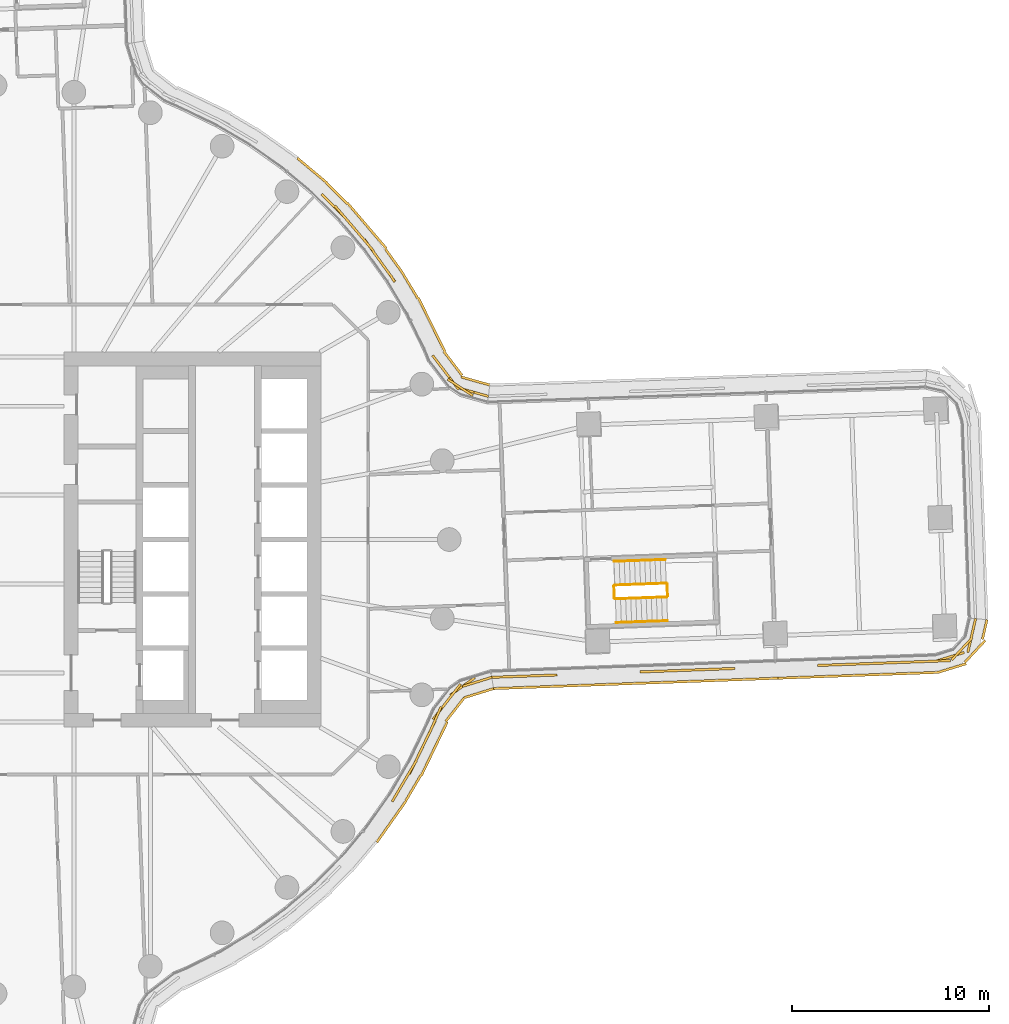
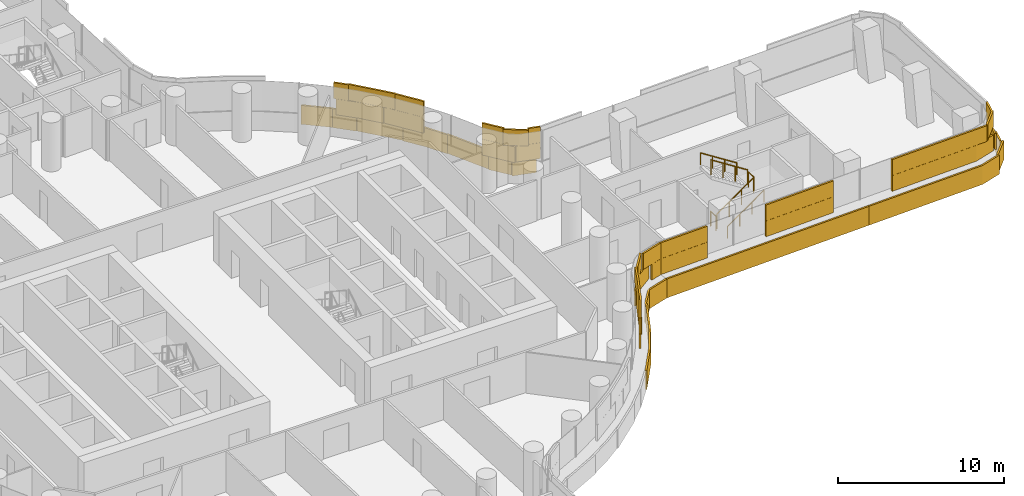
# One storey, part 29 of 31: 6 railings, 4 coverings.
"""IFC4 building model written with IfcOpenShell, lengths in metres."""

import ifcopenshell
import ifcopenshell.guid

model = None  # the IFC model being written
_history = None  # IfcOwnerHistory: only IFC2X3 demands one
_inside = {}  # id of a spatial element -> (the spatial element, [elements in it])
_under = {}  # id of a project, library or spatial element -> (it, [spatial elements below it])
_declared = {}  # id of a project -> (the project, [libraries it declares])
_typed = {}  # id of a type object -> (the type object, [elements of that type])
_made_of = {}  # id of a material, layer set ... -> (it, [elements and type objects made of it])


def new_model(schema):
    """Start an empty IFC model of exactly this schema.

    Asked for "IFC4X3", IfcOpenShell would pick the latest addendum, in which some entities
    have other attributes; the version numbers below select the first issue.
    IFC2X3 requires an IfcOwnerHistory on every rooted entity: one is made here for all.
    """
    global model, _history
    if schema == "IFC4X3":
        model = ifcopenshell.file(schema_version=(4, 3, 0, 0))
    else:
        model = ifcopenshell.file(schema=schema)
    _inside.clear()
    _under.clear()
    _declared.clear()
    _typed.clear()
    _made_of.clear()
    _history = None
    if model.schema == "IFC2X3":
        org = make("IfcOrganization", Name="unknown")
        user = make(
            "IfcPersonAndOrganization",
            ThePerson=make("IfcPerson", FamilyName="unknown"),
            TheOrganization=org,
        )
        app = make(
            "IfcApplication",
            ApplicationDeveloper=org,
            Version="unknown",
            ApplicationFullName="unknown",
            ApplicationIdentifier="unknown",
        )
        _history = make(
            "IfcOwnerHistory",
            OwningUser=user,
            OwningApplication=app,
            ChangeAction="ADDED",
            CreationDate=0,
        )
    return model


def make(cls, **values):
    """One entity of the class cls with the attributes given. An attribute that is None is left unset."""
    return model.create_entity(
        cls, **{name: value for name, value in values.items() if value is not None}
    )


def rooted(cls, **values):
    """An entity with a GlobalId (a new one), such as an element, a storey or a relation."""
    return make(cls, GlobalId=ifcopenshell.guid.new(), OwnerHistory=_history, **values)


def si_unit(unit_type, name, prefix=None):
    """IfcSIUnit, for example si_unit("LENGTHUNIT", "METRE", prefix="MILLI")."""
    return make("IfcSIUnit", UnitType=unit_type, Prefix=prefix, Name=name)


def assignment(units):
    """IfcUnitAssignment: the units of a project."""
    return None if units is None else make("IfcUnitAssignment", Units=units)


def point(xyz):
    """IfcCartesianPoint."""
    return None if xyz is None else make("IfcCartesianPoint", Coordinates=xyz)


def direction(xyz):
    """IfcDirection."""
    return None if xyz is None else make("IfcDirection", DirectionRatios=xyz)


def frame(location, z_axis=None, x_axis=None):
    """IfcAxis2Placement3D, a coordinate frame: its origin and axes. An axis left out is left unset."""
    return make(
        "IfcAxis2Placement3D",
        Location=point(location),
        Axis=direction(z_axis),
        RefDirection=direction(x_axis),
    )


def frame_2d(location, x_axis=None):
    """IfcAxis2Placement2D, a coordinate frame in the plane: its origin and x axis."""
    return make(
        "IfcAxis2Placement2D", Location=point(location), RefDirection=direction(x_axis)
    )


def origin():
    """The frame at (0, 0, 0) with its axes left unset."""
    return frame((0.0, 0.0, 0.0))


def origin_2d():
    """The frame at (0, 0) in the plane with its x axis left unset."""
    return frame_2d((0.0, 0.0))


def place(relative_to, where):
    """IfcLocalPlacement: puts the frame where relative to a parent placement (None: the world)."""
    return make(
        "IfcLocalPlacement", PlacementRelTo=relative_to, RelativePlacement=where
    )


def context(
    kind, dimensions, precision=None, world=None, true_north=None, identifier=None
):
    """IfcGeometricRepresentationContext, for example the 3D "Model" context."""
    return make(
        "IfcGeometricRepresentationContext",
        ContextIdentifier=identifier,
        ContextType=kind,
        CoordinateSpaceDimension=dimensions,
        Precision=precision,
        WorldCoordinateSystem=world,
        TrueNorth=true_north,
    )


def subcontext(parent, identifier, kind, view, scale=None):
    """IfcGeometricRepresentationSubContext, for example "Body" below "Model"."""
    return make(
        "IfcGeometricRepresentationSubContext",
        ContextIdentifier=identifier,
        ContextType=kind,
        ParentContext=parent,
        TargetScale=scale,
        TargetView=view,
    )


def project(units=None, contexts=None):
    """IfcProject with its units and contexts."""
    return rooted(
        "IfcProject",
        Name="project",
        RepresentationContexts=contexts,
        UnitsInContext=assignment(units),
    )


def spatial(cls, under=None, at=None, **own):
    """A site, building, storey or space (cls), placed at a placement, below another one or the project."""
    s = rooted(cls, ObjectPlacement=at, **own)
    if under is not None:
        _under.setdefault(under.id(), (under, []))[1].append(s)
    return s


def profile(cls, at=None, kind="AREA", **sizes):
    """A parametric profile (cls). Its sizes go by their IFC names, for example OverallWidth=200.0."""
    return make(cls, ProfileType=kind, Position=at, **sizes)


def rectangle(**sizes):
    """IfcRectangleProfileDef."""
    return profile("IfcRectangleProfileDef", **sizes)


def circle(**sizes):
    """IfcCircleProfileDef."""
    return profile("IfcCircleProfileDef", **sizes)


def extrude(swept, where, along, depth):
    """IfcExtrudedAreaSolid: the profile swept, set in the frame where, extruded along a direction by depth."""
    return make(
        "IfcExtrudedAreaSolid",
        SweptArea=swept,
        Position=where,
        ExtrudedDirection=direction(along),
        Depth=depth,
    )


def shape(context_of_items, identifier, shape_type, items):
    """IfcShapeRepresentation: the items that make up one representation, for example the "Body"."""
    return make(
        "IfcShapeRepresentation",
        ContextOfItems=context_of_items,
        RepresentationIdentifier=identifier,
        RepresentationType=shape_type,
        Items=items,
    )


def material(Name=None, Category=None):
    """IfcMaterial."""
    return make("IfcMaterial", Name=Name, Category=Category)


def layer(
    of_material, thickness, ventilated=None, Name=None, Category=None, Priority=None
):
    """IfcMaterialLayer: one layer of a wall or slab, of a material (None: an air gap)."""
    return make(
        "IfcMaterialLayer",
        Material=of_material,
        LayerThickness=thickness,
        IsVentilated=ventilated,
        Name=Name,
        Category=Category,
        Priority=Priority,
    )


def layer_set(layers, Name=None):
    """IfcMaterialLayerSet."""
    return make("IfcMaterialLayerSet", MaterialLayers=layers, LayerSetName=Name)


def made_of(thing, what):
    """Note that an element or type object is made of a material, layer set ...; save() writes the relation."""
    if what is not None:
        _made_of.setdefault(what.id(), (what, []))[1].append(thing)
    return thing


def type_object(cls, material=None, **own):
    """A type object (cls), such as IfcWallType, which elements share."""
    return made_of(rooted(cls, **own), material)


def element(
    cls,
    number,
    at=None,
    inside=None,
    cuts=None,
    type_object=None,
    material=None,
    context=None,
    identifier="Body",
    shape_type=None,
    held_by="IfcProductDefinitionShape",
    body=None,
    shapes=None,
    **own,
):
    """One element of the class cls, such as IfcWall. Its Tag is "e" and its number.

    at: its placement. inside: the storey or other place that contains it. cuts: it is an
    opening in that element (IfcRelVoidsElement). A single representation is given by context,
    identifier, shape_type and body (its items); several are given by shapes. held_by: the class
    of the entity that holds the representations. save() writes the other relations.
    """
    e = rooted(cls, Tag="e%d" % number, ObjectPlacement=at, **own)
    if body is not None:
        shapes = [shape(context, identifier, shape_type, body)]
    if shapes is not None:
        e.Representation = make(held_by, Representations=shapes)
    if inside is not None:
        _inside.setdefault(inside.id(), (inside, []))[1].append(e)
    if cuts is not None:
        rooted(
            "IfcRelVoidsElement", RelatingBuildingElement=cuts, RelatedOpeningElement=e
        )
    if type_object is not None:
        _typed.setdefault(type_object.id(), (type_object, []))[1].append(e)
    return made_of(e, material)


def aggregate(whole, parts):
    """IfcRelAggregates: a whole, such as a stair, and the parts it consists of."""
    return rooted("IfcRelAggregates", RelatingObject=whole, RelatedObjects=parts)


def save(model, path):
    """Write the relations noted so far, then the file.

    IfcRelAggregates (storeys below a building ...), IfcRelContainedInSpatialStructure (elements
    in a storey), IfcRelDefinesByType, IfcRelAssociatesMaterial and IfcRelDeclares: one each for
    every whole, place, type object, material and project.
    """
    for whole, parts in _under.values():
        aggregate(whole, parts)
    for where, things in _inside.values():
        rooted(
            "IfcRelContainedInSpatialStructure",
            RelatedElements=things,
            RelatingStructure=where,
        )
    for kind, things in _typed.values():
        rooted("IfcRelDefinesByType", RelatedObjects=things, RelatingType=kind)
    for what, things in _made_of.values():
        rooted("IfcRelAssociatesMaterial", RelatedObjects=things, RelatingMaterial=what)
    for by, libraries in _declared.values():
        rooted("IfcRelDeclares", RelatingContext=by, RelatedDefinitions=libraries)
    model.write(path)


model = new_model("IFC4")

# Units and contexts
model_context = context("Model", 3, precision=1e-05, world=origin(), true_north=direction((0.0, 1.0)))
body_context = subcontext(model_context, "Body", "Model", "MODEL_VIEW")
ifc_project = project(units=[si_unit("LENGTHUNIT", "METRE"), si_unit("AREAUNIT", "SQUARE_METRE"), si_unit("VOLUMEUNIT", "CUBIC_METRE"), si_unit("PLANEANGLEUNIT", "RADIAN"), si_unit("MASSUNIT", "GRAM", prefix="KILO")], contexts=[model_context])

# Site, building, storey
site_placement = place(None, origin())
site = spatial("IfcSite", under=ifc_project, at=site_placement, CompositionType="ELEMENT")
building_placement = place(site_placement, origin())
building = spatial("IfcBuilding", under=site, at=building_placement, Name="Tamarind Cross Interchange Tower", CompositionType="ELEMENT")
storey_placement = place(building_placement, frame((0.0, 0.0, 41.5)))
storey = spatial("IfcBuildingStorey", under=building, at=storey_placement, Name="L08", CompositionType="ELEMENT", Elevation=41.5)

# Railings
ifc_material_1 = material(Name="Stair guard")
railing_type_1 = type_object("IfcRailingType", Name="Stair guard", PredefinedType="GUARDRAIL", material=ifc_material_1)
railing_1_placement = place(storey_placement, frame((31.416015625, -3.0087890625, 0.17041015625)))
element("IfcRailing", 1, at=railing_1_placement, inside=storey, type_object=railing_type_1, Name="L08 ST3 stair guard 1", PredefinedType="GUARDRAIL", context=body_context, shape_type="SweptSolid", body=[
    extrude(circle(Radius=0.02392578125, at=origin_2d()), frame((0.0, 0.0, 1.076171875), z_axis=(0.835723001818, 0.030548416436, 0.54830088317), x_axis=(-0.036528883713, 0.999332597614, 0.0)), (0.0, 0.0, 1.0), 3.10888671875),
    extrude(circle(Radius=0.02099609375, at=origin_2d()), origin(), (0.0, 0.0, 1.0), 1.052001953125),
    extrude(circle(Radius=0.02099609375, at=origin_2d()), frame((0.865966796875, 0.03173828125, 0.568115234375)), (0.0, 0.0, 1.0), 1.052001953125),
    extrude(circle(Radius=0.02099609375, at=origin_2d()), frame((1.732177734375, 0.063232421875, 1.136474609375)), (0.0, 0.0, 1.0), 1.052001953125),
    extrude(circle(Radius=0.02099609375, at=origin_2d()), frame((2.59814453125, 0.094970703125, 1.70458984375)), (0.0, 0.0, 1.0), 1.052001953125),
])
railing_2_placement = place(storey_placement, frame((34.0625, -2.862060546875, 1.875)))
element("IfcRailing", 2, at=railing_2_placement, inside=storey, type_object=railing_type_1, Name="L08 ST3 stair guard 2", PredefinedType="GUARDRAIL", context=body_context, shape_type="SweptSolid", body=[
    extrude(circle(Radius=0.02392578125, at=origin_2d()), frame((0.0, 0.0, 1.076171875), z_axis=(-0.036620371511, 0.999329249242, 0.0), x_axis=(-0.999329249242, -0.036620371511, 0.0)), (0.0, 0.0, 1.0), 0.60009765625),
    extrude(circle(Radius=0.02099609375, at=origin_2d()), origin(), (0.0, 0.0, 1.0), 1.052001953125),
    extrude(circle(Radius=0.02099609375, at=origin_2d()), frame((-0.02197265625, 0.599609375, 0.0)), (0.0, 0.0, 1.0), 1.052001953125),
])
railing_3_placement = place(storey_placement, frame((33.98876953125, -2.21435546875, 2.04541015625)))
element("IfcRailing", 3, at=railing_3_placement, inside=storey, type_object=railing_type_1, Name="L08 ST3 stair guard 3", PredefinedType="GUARDRAIL", context=body_context, shape_type="SweptSolid", body=[
    extrude(circle(Radius=0.02392578125, at=origin_2d()), frame((0.0, 0.0, 1.076171875), z_axis=(-0.835748683852, -0.03046795916, 0.548266213535), x_axis=(0.036431685105, -0.999336145809, 0.0)), (0.0, 0.0, 1.0), 3.109130859375),
    extrude(circle(Radius=0.02099609375, at=origin_2d()), origin(), (0.0, 0.0, 1.0), 1.052001953125),
    extrude(circle(Radius=0.02099609375, at=origin_2d()), frame((-0.8662109375, -0.031494140625, 0.568115234375)), (0.0, 0.0, 1.0), 1.052001953125),
    extrude(circle(Radius=0.02099609375, at=origin_2d()), frame((-1.732177734375, -0.063232421875, 1.136474609375)), (0.0, 0.0, 1.0), 1.052001953125),
    extrude(circle(Radius=0.02099609375, at=origin_2d()), frame((-2.598388671875, -0.0947265625, 1.70458984375)), (0.0, 0.0, 1.0), 1.052001953125),
])
railing_4_placement = place(storey_placement, frame((31.3642578125, -2.96044921875, 0.0)))
element("IfcRailing", 4, at=railing_4_placement, inside=storey, type_object=railing_type_1, Name="L08 ST3 stair guard 4", PredefinedType="GUARDRAIL", context=body_context, shape_type="SweptSolid", body=[
    extrude(circle(Radius=0.02392578125, at=origin_2d()), frame((0.0, 0.0, 1.076171875), z_axis=(-0.036620371511, 0.999329249242, 0.0), x_axis=(-0.999329249242, -0.036620371511, 0.0)), (0.0, 0.0, 1.0), 0.60009765625),
    extrude(circle(Radius=0.02099609375, at=origin_2d()), origin(), (0.0, 0.0, 1.0), 1.052001953125),
    extrude(circle(Radius=0.02099609375, at=origin_2d()), frame((-0.02197265625, 0.599609375, 0.0)), (0.0, 0.0, 1.0), 1.052001953125),
])
ifc_material_2 = material(Name="Stair handrail")
railing_type_2 = type_object("IfcRailingType", Name="Stair handrail", PredefinedType="HANDRAIL", material=ifc_material_2)
railing_5_placement = place(storey_placement, frame((31.459716796875, -4.207763671875, 0.17041015625)))
element("IfcRailing", 5, at=railing_5_placement, inside=storey, type_object=railing_type_2, Name="L08 ST3 stair handrail 1", PredefinedType="HANDRAIL", context=body_context, shape_type="SweptSolid", body=[
    extrude(circle(Radius=0.02392578125, at=origin_2d()), frame((0.0, 0.0, 0.8759765625), z_axis=(0.835748683852, 0.03046795916, 0.548266213535), x_axis=(-0.036431685105, 0.999336145809, 0.0)), (0.0, 0.0, 1.0), 3.109130859375),
    extrude(circle(Radius=0.02099609375, at=origin_2d()), origin(), (0.0, 0.0, 1.0), 0.851806640625),
    extrude(circle(Radius=0.02099609375, at=origin_2d()), frame((0.8662109375, 0.031494140625, 0.568115234375)), (0.0, 0.0, 1.0), 0.851806640625),
    extrude(circle(Radius=0.02099609375, at=origin_2d()), frame((1.732177734375, 0.063232421875, 1.136474609375)), (0.0, 0.0, 1.0), 0.851806640625),
    extrude(circle(Radius=0.02099609375, at=origin_2d()), frame((2.598388671875, 0.0947265625, 1.70458984375)), (0.0, 0.0, 1.0), 0.851806640625),
])
railing_6_placement = place(storey_placement, frame((33.945068359375, -1.01513671875, 2.04541015625)))
element("IfcRailing", 6, at=railing_6_placement, inside=storey, type_object=railing_type_2, Name="L08 ST3 stair handrail 2", PredefinedType="HANDRAIL", context=body_context, shape_type="SweptSolid", body=[
    extrude(circle(Radius=0.02392578125, at=origin_2d()), frame((0.0, 0.0, 0.8759765625), z_axis=(-0.835748683852, -0.03046795916, 0.548266213535), x_axis=(0.036431685105, -0.999336145809, 0.0)), (0.0, 0.0, 1.0), 3.109130859375),
    extrude(circle(Radius=0.02099609375, at=origin_2d()), origin(), (0.0, 0.0, 1.0), 0.851806640625),
    extrude(circle(Radius=0.02099609375, at=origin_2d()), frame((-0.8662109375, -0.031494140625, 0.568115234375)), (0.0, 0.0, 1.0), 0.851806640625),
    extrude(circle(Radius=0.02099609375, at=origin_2d()), frame((-1.732177734375, -0.063232421875, 1.136474609375)), (0.0, 0.0, 1.0), 0.851806640625),
    extrude(circle(Radius=0.02099609375, at=origin_2d()), frame((-2.598388671875, -0.0947265625, 1.70458984375)), (0.0, 0.0, 1.0), 0.851806640625),
])

# Coverings
ifc_material_3 = material(Name="Terracotta", Category="masonry")
ifc_layer = layer(ifc_material_3, 0.1201171875)
ifc_layer_set = layer_set([ifc_layer], Name="Terracotta")
covering_type = type_object("IfcCoveringType", Name="Terracotta baguette screen unit", PredefinedType="MOLDING", material=ifc_layer_set)
covering_1_placement = place(storey_placement, origin())
element("IfcCovering", 7, at=covering_1_placement, inside=storey, type_object=covering_type, Name="SCR-L08-06-01", PredefinedType="MOLDING", context=body_context, shape_type="SweptSolid", body=[
    extrude(rectangle(XDim=1.52001953125, YDim=0.1201171875, at=origin_2d()), frame((20.571044921875, -12.492919921875, 1.404052734375), z_axis=(0.0, 0.0, 1.0), x_axis=(0.508183308752, 0.861248933065, 0.0)), (0.0, 0.0, 1.0), 1.1669921875),
    extrude(rectangle(XDim=1.52001953125, YDim=0.1201171875, at=origin_2d()), frame((21.31884765625, -11.193115234375, 1.404052734375), z_axis=(0.0, 0.0, 1.0), x_axis=(0.435326231914, 0.900272776334, 0.0)), (0.0, 0.0, 1.0), 1.1669921875),
    extrude(rectangle(XDim=1.52001953125, YDim=0.1201171875, at=origin_2d()), frame((21.971923828125, -9.8427734375, 1.404052734375), z_axis=(0.0, 0.0, 1.0), x_axis=(0.435326231914, 0.900272776334, 0.0)), (0.0, 0.0, 1.0), 1.1669921875),
    extrude(rectangle(XDim=1.52001953125, YDim=0.1201171875, at=origin_2d()), frame((22.6474609375, -8.510986328125, 1.404052734375), z_axis=(0.0, 0.0, 1.0), x_axis=(0.615172315477, 0.788392682786, 0.0)), (0.0, 0.0, 1.0), 1.1669921875),
    extrude(rectangle(XDim=1.52001953125, YDim=0.1201171875, at=origin_2d()), frame((23.67578125, -7.438720703125, 1.404052734375), z_axis=(0.0, 0.0, 1.0), x_axis=(0.815260166993, 0.579094862794, 0.0)), (0.0, 0.0, 1.0), 1.1669921875),
    extrude(rectangle(XDim=0.8056640625, YDim=0.1201171875, at=origin_2d()), frame((24.771484375, -7.097412109375, 1.404052734375), z_axis=(0.0, 0.0, 1.0), x_axis=(0.955212257745, 0.295921514349, 0.0)), (0.0, 0.0, 1.0), 1.1669921875),
    extrude(rectangle(XDim=0.90576171875, YDim=0.1201171875, at=origin_2d()), frame((20.343505859375, -12.878662109375, 2.5791015625), z_axis=(0.0, 0.0, 1.0), x_axis=(0.508183308752, 0.861248933065, 0.0)), (0.0, 0.0, 1.0), 1.1669921875),
    extrude(rectangle(XDim=1.52001953125, YDim=0.1201171875, at=origin_2d()), frame((20.9521484375, -11.846923828125, 2.5791015625), z_axis=(0.0, 0.0, 1.0), x_axis=(0.508183308752, 0.861248933065, 0.0)), (0.0, 0.0, 1.0), 1.1669921875),
    extrude(rectangle(XDim=1.52001953125, YDim=0.1201171875, at=origin_2d()), frame((21.645263671875, -10.51806640625, 2.5791015625), z_axis=(0.0, 0.0, 1.0), x_axis=(0.435326231914, 0.900272776334, 0.0)), (0.0, 0.0, 1.0), 1.1669921875),
    extrude(rectangle(XDim=1.52001953125, YDim=0.1201171875, at=origin_2d()), frame((22.2841796875, -9.1611328125, 2.5791015625), z_axis=(0.0, 0.0, 1.0), x_axis=(0.404640212769, 0.914475969182, 0.0)), (0.0, 0.0, 1.0), 1.1669921875),
    extrude(rectangle(XDim=1.52001953125, YDim=0.1201171875, at=origin_2d()), frame((23.10888671875, -7.919677734375, 2.5791015625), z_axis=(0.0, 0.0, 1.0), x_axis=(0.615172315477, 0.788392682786, 0.0)), (0.0, 0.0, 1.0), 1.1669921875),
    extrude(rectangle(XDim=1.52001953125, YDim=0.1201171875, at=origin_2d()), frame((24.391357421875, -7.21533203125, 2.5791015625), z_axis=(0.0, 0.0, 1.0), x_axis=(0.955212257745, 0.295921514349, 0.0)), (0.0, 0.0, 1.0), 1.1669921875),
    extrude(rectangle(XDim=0.0556640625, YDim=0.1201171875, at=origin_2d()), frame((25.129638671875, -6.986572265625, 2.5791015625), z_axis=(0.0, 0.0, 1.0), x_axis=(0.955212257745, 0.295921514349, 0.0)), (0.0, 0.0, 1.0), 1.1669921875),
    extrude(rectangle(XDim=1.076904296875, YDim=0.1201171875, at=origin_2d()), frame((19.650146484375, -14.886962890625, 0.00390625), z_axis=(0.0, 0.0, 1.0), x_axis=(0.577568978284, 0.816341886298, 0.0)), (0.0, 0.0, 1.0), 1.39208984375),
    extrude(rectangle(XDim=1.52001953125, YDim=0.1201171875, at=origin_2d()), frame((20.388427734375, -13.84326171875, 0.00390625), z_axis=(0.0, 0.0, 1.0), x_axis=(0.577568978284, 0.816341886298, 0.0)), (0.0, 0.0, 1.0), 1.39208984375),
    extrude(rectangle(XDim=1.52001953125, YDim=0.1201171875, at=origin_2d()), frame((21.1884765625, -12.57568359375, 0.00390625), z_axis=(0.0, 0.0, 1.0), x_axis=(0.508183308752, 0.861248933065, 0.0)), (0.0, 0.0, 1.0), 1.39208984375),
    extrude(rectangle(XDim=1.52001953125, YDim=0.1201171875, at=origin_2d()), frame((21.92041015625, -11.267578125, 0.00390625), z_axis=(0.0, 0.0, 1.0), x_axis=(0.435326231914, 0.900272776334, 0.0)), (0.0, 0.0, 1.0), 1.39208984375),
    extrude(rectangle(XDim=1.52001953125, YDim=0.1201171875, at=origin_2d()), frame((22.573486328125, -9.917236328125, 0.00390625), z_axis=(0.0, 0.0, 1.0), x_axis=(0.435326231914, 0.900272776334, 0.0)), (0.0, 0.0, 1.0), 1.39208984375),
    extrude(rectangle(XDim=1.52001953125, YDim=0.1201171875, at=origin_2d()), frame((23.295166015625, -8.61376953125, 0.00390625), z_axis=(0.0, 0.0, 1.0), x_axis=(0.615172315477, 0.788392682786, 0.0)), (0.0, 0.0, 1.0), 1.39208984375),
    extrude(rectangle(XDim=1.52001953125, YDim=0.1201171875, at=origin_2d()), frame((24.48388671875, -7.78759765625, 0.00390625), z_axis=(0.0, 0.0, 1.0), x_axis=(0.955212257745, 0.295921514349, 0.0)), (0.0, 0.0, 1.0), 1.39208984375),
    extrude(rectangle(XDim=0.060546875, YDim=0.1201171875, at=origin_2d()), frame((25.2197265625, -7.5595703125, 0.00390625), z_axis=(0.0, 0.0, 1.0), x_axis=(0.955212257745, 0.295921514349, 0.0)), (0.0, 0.0, 1.0), 1.39208984375),
])
covering_2_placement = place(storey_placement, origin())
element("IfcCovering", 8, at=covering_2_placement, inside=storey, type_object=covering_type, Name="SCR-L08-07-00", PredefinedType="MOLDING", context=body_context, shape_type="SweptSolid", body=[
    extrude(rectangle(XDim=1.510009765625, YDim=0.1201171875, at=origin_2d()), frame((25.90087890625, -6.952392578125, 1.404052734375), z_axis=(0.0, 0.0, 1.0), x_axis=(0.999335028671, 0.036462315768, 0.0)), (0.0, 0.0, 1.0), 1.1669921875),
    extrude(rectangle(XDim=1.52001953125, YDim=0.1201171875, at=origin_2d()), frame((27.39990234375, -6.897705078125, 1.404052734375), z_axis=(0.0, 0.0, 1.0), x_axis=(0.999335028671, 0.036462315768, 0.0)), (0.0, 0.0, 1.0), 1.1669921875),
    extrude(rectangle(XDim=0.326904296875, YDim=0.1201171875, at=origin_2d()), frame((28.307861328125, -6.864501953125, 1.404052734375), z_axis=(0.0, 0.0, 1.0), x_axis=(0.999335028671, 0.036462315768, 0.0)), (0.0, 0.0, 1.0), 1.1669921875),
    extrude(rectangle(XDim=1.492919921875, YDim=0.1201171875, at=origin_2d()), frame((33.404541015625, -6.6787109375, 1.404052734375), z_axis=(0.0, 0.0, 1.0), x_axis=(0.999335028671, 0.036462315768, 0.0)), (0.0, 0.0, 1.0), 1.1669921875),
    extrude(rectangle(XDim=1.52001953125, YDim=0.1201171875, at=origin_2d()), frame((34.89501953125, -6.624267578125, 1.404052734375), z_axis=(0.0, 0.0, 1.0), x_axis=(0.999335028671, 0.036462315768, 0.0)), (0.0, 0.0, 1.0), 1.1669921875),
    extrude(rectangle(XDim=1.52001953125, YDim=0.1201171875, at=origin_2d()), frame((36.39404296875, -6.569580078125, 1.404052734375), z_axis=(0.0, 0.0, 1.0), x_axis=(0.999335028671, 0.036462315768, 0.0)), (0.0, 0.0, 1.0), 1.1669921875),
    extrude(rectangle(XDim=0.326904296875, YDim=0.1201171875, at=origin_2d()), frame((37.3017578125, -6.536376953125, 1.404052734375), z_axis=(0.0, 0.0, 1.0), x_axis=(0.999335028671, 0.036462315768, 0.0)), (0.0, 0.0, 1.0), 1.1669921875),
    extrude(rectangle(XDim=0.760009765625, YDim=0.1201171875, at=origin_2d()), frame((25.526123046875, -6.966064453125, 2.5791015625), z_axis=(0.0, 0.0, 1.0), x_axis=(0.999335028671, 0.036462315768, 0.0)), (0.0, 0.0, 1.0), 1.1669921875),
    extrude(rectangle(XDim=1.52001953125, YDim=0.1201171875, at=origin_2d()), frame((26.650390625, -6.925048828125, 2.5791015625), z_axis=(0.0, 0.0, 1.0), x_axis=(0.999335028671, 0.036462315768, 0.0)), (0.0, 0.0, 1.0), 1.1669921875),
    extrude(rectangle(XDim=1.076904296875, YDim=0.1201171875, at=origin_2d()), frame((27.93310546875, -6.878173828125, 2.5791015625), z_axis=(0.0, 0.0, 1.0), x_axis=(0.999335028671, 0.036462315768, 0.0)), (0.0, 0.0, 1.0), 1.1669921875),
    extrude(rectangle(XDim=0.742919921875, YDim=0.1201171875, at=origin_2d()), frame((33.02978515625, -6.6923828125, 2.5791015625), z_axis=(0.0, 0.0, 1.0), x_axis=(0.999335028671, 0.036462315768, 0.0)), (0.0, 0.0, 1.0), 1.1669921875),
    extrude(rectangle(XDim=1.52001953125, YDim=0.1201171875, at=origin_2d()), frame((34.1455078125, -6.651611328125, 2.5791015625), z_axis=(0.0, 0.0, 1.0), x_axis=(0.999335028671, 0.036462315768, 0.0)), (0.0, 0.0, 1.0), 1.1669921875),
    extrude(rectangle(XDim=1.52001953125, YDim=0.1201171875, at=origin_2d()), frame((35.64453125, -6.596923828125, 2.5791015625), z_axis=(0.0, 0.0, 1.0), x_axis=(0.999335028671, 0.036462315768, 0.0)), (0.0, 0.0, 1.0), 1.1669921875),
    extrude(rectangle(XDim=1.076904296875, YDim=0.1201171875, at=origin_2d()), frame((36.927001953125, -6.550048828125, 2.5791015625), z_axis=(0.0, 0.0, 1.0), x_axis=(0.999335028671, 0.036462315768, 0.0)), (0.0, 0.0, 1.0), 1.1669921875),
    extrude(rectangle(XDim=1.510009765625, YDim=0.1201171875, at=origin_2d()), frame((26.0029296875, -7.52294921875, 0.00390625), z_axis=(0.0, 0.0, 1.0), x_axis=(0.999335028671, 0.036462315768, 0.0)), (0.0, 0.0, 1.0), 1.39208984375),
    extrude(rectangle(XDim=1.52001953125, YDim=0.1201171875, at=origin_2d()), frame((27.4970703125, -7.468505859375, 0.00390625), z_axis=(0.0, 0.0, 1.0), x_axis=(0.999335028671, 0.036462315768, 0.0)), (0.0, 0.0, 1.0), 1.39208984375),
    extrude(rectangle(XDim=1.52001953125, YDim=0.1201171875, at=origin_2d()), frame((28.99609375, -7.413818359375, 0.00390625), z_axis=(0.0, 0.0, 1.0), x_axis=(0.999335028671, 0.036462315768, 0.0)), (0.0, 0.0, 1.0), 1.39208984375),
    extrude(rectangle(XDim=1.52001953125, YDim=0.1201171875, at=origin_2d()), frame((30.4951171875, -7.359130859375, 0.00390625), z_axis=(0.0, 0.0, 1.0), x_axis=(0.999335028671, 0.036462315768, 0.0)), (0.0, 0.0, 1.0), 1.39208984375),
    extrude(rectangle(XDim=1.52001953125, YDim=0.1201171875, at=origin_2d()), frame((31.994140625, -7.304443359375, 0.00390625), z_axis=(0.0, 0.0, 1.0), x_axis=(0.999335028671, 0.036462315768, 0.0)), (0.0, 0.0, 1.0), 1.39208984375),
    extrude(rectangle(XDim=1.52001953125, YDim=0.1201171875, at=origin_2d()), frame((33.4931640625, -7.249755859375, 0.00390625), z_axis=(0.0, 0.0, 1.0), x_axis=(0.999335028671, 0.036462315768, 0.0)), (0.0, 0.0, 1.0), 1.39208984375),
    extrude(rectangle(XDim=1.52001953125, YDim=0.1201171875, at=origin_2d()), frame((34.9921875, -7.195068359375, 0.00390625), z_axis=(0.0, 0.0, 1.0), x_axis=(0.999335028671, 0.036462315768, 0.0)), (0.0, 0.0, 1.0), 1.39208984375),
    extrude(rectangle(XDim=1.52001953125, YDim=0.1201171875, at=origin_2d()), frame((36.490966796875, -7.140380859375, 0.00390625), z_axis=(0.0, 0.0, 1.0), x_axis=(0.999335028671, 0.036462315768, 0.0)), (0.0, 0.0, 1.0), 1.39208984375),
    extrude(rectangle(XDim=1.52001953125, YDim=0.1201171875, at=origin_2d()), frame((37.989990234375, -7.085693359375, 0.00390625), z_axis=(0.0, 0.0, 1.0), x_axis=(0.999335028671, 0.036462315768, 0.0)), (0.0, 0.0, 1.0), 1.39208984375),
    extrude(rectangle(XDim=0.926513671875, YDim=0.1201171875, at=origin_2d()), frame((39.192626953125, -7.041748046875, 0.00390625), z_axis=(0.0, 0.0, 1.0), x_axis=(0.999335028671, 0.036462315768, 0.0)), (0.0, 0.0, 1.0), 1.39208984375),
])
covering_3_placement = place(storey_placement, origin())
element("IfcCovering", 9, at=covering_3_placement, inside=storey, type_object=covering_type, Name="SCR-L08-07-01", PredefinedType="MOLDING", context=body_context, shape_type="SweptSolid", body=[
    extrude(rectangle(XDim=1.4931640625, YDim=0.1201171875, at=origin_2d()), frame((42.3984375, -6.350341796875, 1.404052734375), z_axis=(0.0, 0.0, 1.0), x_axis=(0.999335028671, 0.036462315768, 0.0)), (0.0, 0.0, 1.0), 1.1669921875),
    extrude(rectangle(XDim=1.52001953125, YDim=0.1201171875, at=origin_2d()), frame((43.888916015625, -6.296142578125, 1.404052734375), z_axis=(0.0, 0.0, 1.0), x_axis=(0.999335028671, 0.036462315768, 0.0)), (0.0, 0.0, 1.0), 1.1669921875),
    extrude(rectangle(XDim=1.52001953125, YDim=0.1201171875, at=origin_2d()), frame((45.387939453125, -6.241455078125, 1.404052734375), z_axis=(0.0, 0.0, 1.0), x_axis=(0.999335028671, 0.036462315768, 0.0)), (0.0, 0.0, 1.0), 1.1669921875),
    extrude(rectangle(XDim=1.52001953125, YDim=0.1201171875, at=origin_2d()), frame((46.886962890625, -6.186767578125, 1.404052734375), z_axis=(0.0, 0.0, 1.0), x_axis=(0.999335028671, 0.036462315768, 0.0)), (0.0, 0.0, 1.0), 1.1669921875),
    extrude(rectangle(XDim=1.52001953125, YDim=0.1201171875, at=origin_2d()), frame((48.354248046875, -5.94384765625, 1.404052734375), z_axis=(0.0, 0.0, 1.0), x_axis=(0.955846371559, 0.293866830345, 0.0)), (0.0, 0.0, 1.0), 1.1669921875),
    extrude(rectangle(XDim=1.52001953125, YDim=0.1201171875, at=origin_2d()), frame((49.434326171875, -4.97607421875, 1.404052734375), z_axis=(0.0, 0.0, 1.0), x_axis=(0.223427045372, 0.974720655058, 0.0)), (0.0, 0.0, 1.0), 1.1669921875),
    extrude(rectangle(XDim=0.255126953125, YDim=0.1201171875, at=origin_2d()), frame((49.629150390625, -4.12548828125, 1.404052734375), z_axis=(0.0, 0.0, 1.0), x_axis=(0.223427045372, 0.974720655058, 0.0)), (0.0, 0.0, 1.0), 1.1669921875),
    extrude(rectangle(XDim=0.7431640625, YDim=0.1201171875, at=origin_2d()), frame((42.023681640625, -6.364013671875, 2.5791015625), z_axis=(0.0, 0.0, 1.0), x_axis=(0.999335028671, 0.036462315768, 0.0)), (0.0, 0.0, 1.0), 1.1669921875),
    extrude(rectangle(XDim=1.52001953125, YDim=0.1201171875, at=origin_2d()), frame((43.139404296875, -6.323486328125, 2.5791015625), z_axis=(0.0, 0.0, 1.0), x_axis=(0.999335028671, 0.036462315768, 0.0)), (0.0, 0.0, 1.0), 1.1669921875),
    extrude(rectangle(XDim=1.52001953125, YDim=0.1201171875, at=origin_2d()), frame((44.638427734375, -6.268798828125, 2.5791015625), z_axis=(0.0, 0.0, 1.0), x_axis=(0.999335028671, 0.036462315768, 0.0)), (0.0, 0.0, 1.0), 1.1669921875),
    extrude(rectangle(XDim=1.52001953125, YDim=0.1201171875, at=origin_2d()), frame((46.137451171875, -6.214111328125, 2.5791015625), z_axis=(0.0, 0.0, 1.0), x_axis=(0.999335028671, 0.036462315768, 0.0)), (0.0, 0.0, 1.0), 1.1669921875),
    extrude(rectangle(XDim=1.52001953125, YDim=0.1201171875, at=origin_2d()), frame((47.636474609375, -6.159423828125, 2.5791015625), z_axis=(0.0, 0.0, 1.0), x_axis=(0.999335028671, 0.036462315768, 0.0)), (0.0, 0.0, 1.0), 1.1669921875),
    extrude(rectangle(XDim=1.52001953125, YDim=0.1201171875, at=origin_2d()), frame((48.95849609375, -5.543701171875, 2.5791015625), z_axis=(0.0, 0.0, 1.0), x_axis=(0.680853824713, 0.732419326188, 0.0)), (0.0, 0.0, 1.0), 1.1669921875),
    extrude(rectangle(XDim=1.005126953125, YDim=0.1201171875, at=origin_2d()), frame((49.54541015625, -4.490966796875, 2.5791015625), z_axis=(0.0, 0.0, 1.0), x_axis=(0.223427045372, 0.974720655058, 0.0)), (0.0, 0.0, 1.0), 1.1669921875),
    extrude(rectangle(XDim=0.593505859375, YDim=0.1201171875, at=origin_2d()), frame((39.9521484375, -7.01416015625, 0.00390625), z_axis=(0.0, 0.0, 1.0), x_axis=(0.999335028671, 0.036462315768, 0.0)), (0.0, 0.0, 1.0), 1.39208984375),
    extrude(rectangle(XDim=1.52001953125, YDim=0.1201171875, at=origin_2d()), frame((40.988037109375, -6.976318359375, 0.00390625), z_axis=(0.0, 0.0, 1.0), x_axis=(0.999335028671, 0.036462315768, 0.0)), (0.0, 0.0, 1.0), 1.39208984375),
    extrude(rectangle(XDim=1.52001953125, YDim=0.1201171875, at=origin_2d()), frame((42.487060546875, -6.921630859375, 0.00390625), z_axis=(0.0, 0.0, 1.0), x_axis=(0.999335028671, 0.036462315768, 0.0)), (0.0, 0.0, 1.0), 1.39208984375),
    extrude(rectangle(XDim=1.52001953125, YDim=0.1201171875, at=origin_2d()), frame((43.986083984375, -6.866943359375, 0.00390625), z_axis=(0.0, 0.0, 1.0), x_axis=(0.999335028671, 0.036462315768, 0.0)), (0.0, 0.0, 1.0), 1.39208984375),
    extrude(rectangle(XDim=1.52001953125, YDim=0.1201171875, at=origin_2d()), frame((45.485107421875, -6.812255859375, 0.00390625), z_axis=(0.0, 0.0, 1.0), x_axis=(0.999335028671, 0.036462315768, 0.0)), (0.0, 0.0, 1.0), 1.39208984375),
    extrude(rectangle(XDim=1.52001953125, YDim=0.1201171875, at=origin_2d()), frame((46.984130859375, -6.757568359375, 0.00390625), z_axis=(0.0, 0.0, 1.0), x_axis=(0.999335028671, 0.036462315768, 0.0)), (0.0, 0.0, 1.0), 1.39208984375),
    extrude(rectangle(XDim=1.52001953125, YDim=0.1201171875, at=origin_2d()), frame((48.451171875, -6.514404296875, 0.00390625), z_axis=(0.0, 0.0, 1.0), x_axis=(0.955846371559, 0.293866830345, 0.0)), (0.0, 0.0, 1.0), 1.39208984375),
    extrude(rectangle(XDim=1.52001953125, YDim=0.1201171875, at=origin_2d()), frame((49.629150390625, -5.66552734375, 0.00390625), z_axis=(0.0, 0.0, 1.0), x_axis=(0.680853824713, 0.732419326188, 0.0)), (0.0, 0.0, 1.0), 1.39208984375),
    extrude(rectangle(XDim=1.020751953125, YDim=0.1201171875, at=origin_2d()), frame((50.118896484375, -4.55810546875, 0.00390625), z_axis=(0.0, 0.0, 1.0), x_axis=(0.223427045372, 0.974720655058, 0.0)), (0.0, 0.0, 1.0), 1.39208984375),
])
covering_4_placement = place(storey_placement, origin())
element("IfcCovering", 10, at=covering_4_placement, inside=storey, type_object=covering_type, Name="SCR-L08-10-00", PredefinedType="MOLDING", context=body_context, shape_type="SweptSolid", body=[
    extrude(rectangle(XDim=1.510009765625, YDim=0.1201171875, at=origin_2d()), frame((24.261962890625, 7.452392578125, 1.404052734375), z_axis=(0.0, 0.0, 1.0), x_axis=(-0.963144482152, 0.268984584131, 0.0)), (0.0, 0.0, 1.0), 1.1669921875),
    extrude(rectangle(XDim=1.52001953125, YDim=0.1201171875, at=origin_2d()), frame((23.015869140625, 8.201171875, 1.404052734375), z_axis=(0.0, 0.0, 1.0), x_axis=(-0.607187130285, 0.794558864286, 0.0)), (0.0, 0.0, 1.0), 1.1669921875),
    extrude(rectangle(XDim=0.66748046875, YDim=0.1201171875, at=origin_2d()), frame((22.36083984375, 9.058349609375, 1.404052734375), z_axis=(0.0, 0.0, 1.0), x_axis=(-0.607187130285, 0.794558864286, 0.0)), (0.0, 0.0, 1.0), 1.1669921875),
    extrude(rectangle(XDim=1.15234375, YDim=0.1201171875, at=origin_2d()), frame((19.9189453125, 13.521728515625, 1.404052734375), z_axis=(0.0, 0.0, 1.0), x_axis=(-0.584573890505, 0.811340475102, 0.0)), (0.0, 0.0, 1.0), 1.1669921875),
    extrude(rectangle(XDim=1.52001953125, YDim=0.1201171875, at=origin_2d()), frame((19.146484375, 14.59375, 1.404052734375), z_axis=(0.0, 0.0, 1.0), x_axis=(-0.584573890505, 0.811340475102, 0.0)), (0.0, 0.0, 1.0), 1.1669921875),
    extrude(rectangle(XDim=1.52001953125, YDim=0.1201171875, at=origin_2d()), frame((18.19482421875, 15.751953125, 1.404052734375), z_axis=(0.0, 0.0, 1.0), x_axis=(-0.64957723968, 0.760295606781, 0.0)), (0.0, 0.0, 1.0), 1.1669921875),
    extrude(rectangle(XDim=1.52001953125, YDim=0.1201171875, at=origin_2d()), frame((17.18017578125, 16.855224609375, 1.404052734375), z_axis=(0.0, 0.0, 1.0), x_axis=(-0.710143317658, 0.704057148523, 0.0)), (0.0, 0.0, 1.0), 1.1669921875),
    extrude(rectangle(XDim=0.760009765625, YDim=0.1201171875, at=origin_2d()), frame((24.623046875, 7.3515625, 2.5791015625), z_axis=(0.0, 0.0, 1.0), x_axis=(-0.963144482152, 0.268984584131, 0.0)), (0.0, 0.0, 1.0), 1.1669921875),
    extrude(rectangle(XDim=1.52001953125, YDim=0.1201171875, at=origin_2d()), frame((23.561279296875, 7.701904296875, 2.5791015625), z_axis=(0.0, 0.0, 1.0), x_axis=(-0.835833182103, 0.548983507671, 0.0)), (0.0, 0.0, 1.0), 1.1669921875),
    extrude(rectangle(XDim=1.41748046875, YDim=0.1201171875, at=origin_2d()), frame((22.588623046875, 8.76025390625, 2.5791015625), z_axis=(0.0, 0.0, 1.0), x_axis=(-0.607187130285, 0.794558864286, 0.0)), (0.0, 0.0, 1.0), 1.1669921875),
    extrude(rectangle(XDim=0.40234375, YDim=0.1201171875, at=origin_2d()), frame((20.134521484375, 13.215087890625, 2.5791015625), z_axis=(0.0, 0.0, 1.0), x_axis=(-0.515577308909, 0.856843065292, 0.0)), (0.0, 0.0, 1.0), 1.1669921875),
    extrude(rectangle(XDim=1.52001953125, YDim=0.1201171875, at=origin_2d()), frame((19.5849609375, 13.9853515625, 2.5791015625), z_axis=(0.0, 0.0, 1.0), x_axis=(-0.584573890505, 0.811340475102, 0.0)), (0.0, 0.0, 1.0), 1.1669921875),
    extrude(rectangle(XDim=1.52001953125, YDim=0.1201171875, at=origin_2d()), frame((18.681884765625, 15.181640625, 2.5791015625), z_axis=(0.0, 0.0, 1.0), x_axis=(-0.64957723968, 0.760295606781, 0.0)), (0.0, 0.0, 1.0), 1.1669921875),
    extrude(rectangle(XDim=1.52001953125, YDim=0.1201171875, at=origin_2d()), frame((17.70751953125, 16.322265625, 2.5791015625), z_axis=(0.0, 0.0, 1.0), x_axis=(-0.64957723968, 0.760295606781, 0.0)), (0.0, 0.0, 1.0), 1.1669921875),
    extrude(rectangle(XDim=0.9140625, YDim=0.1201171875, at=origin_2d()), frame((16.859130859375, 17.17333984375, 2.5791015625), z_axis=(0.0, 0.0, 1.0), x_axis=(-0.710143317658, 0.704057148523, 0.0)), (0.0, 0.0, 1.0), 1.1669921875),
    extrude(rectangle(XDim=1.510009765625, YDim=0.1201171875, at=origin_2d()), frame((24.326171875, 8.030517578125, 0.00390625), z_axis=(0.0, 0.0, 1.0), x_axis=(-0.963144482152, 0.268984584131, 0.0)), (0.0, 0.0, 1.0), 1.39208984375),
    extrude(rectangle(XDim=1.52001953125, YDim=0.1201171875, at=origin_2d()), frame((23.191162109375, 8.917236328125, 0.00390625), z_axis=(0.0, 0.0, 1.0), x_axis=(-0.607187130285, 0.794558864286, 0.0)), (0.0, 0.0, 1.0), 1.39208984375),
    extrude(rectangle(XDim=1.52001953125, YDim=0.1201171875, at=origin_2d()), frame((22.441650390625, 10.203125, 0.00390625), z_axis=(0.0, 0.0, 1.0), x_axis=(-0.443058811505, 0.896492548518, 0.0)), (0.0, 0.0, 1.0), 1.39208984375),
    extrude(rectangle(XDim=1.52001953125, YDim=0.1201171875, at=origin_2d()), frame((21.777099609375, 11.5478515625, 0.00390625), z_axis=(0.0, 0.0, 1.0), x_axis=(-0.443058811505, 0.896492548518, 0.0)), (0.0, 0.0, 1.0), 1.39208984375),
    extrude(rectangle(XDim=1.52001953125, YDim=0.1201171875, at=origin_2d()), frame((21.026611328125, 12.845703125, 0.00390625), z_axis=(0.0, 0.0, 1.0), x_axis=(-0.515577308909, 0.856843065292, 0.0)), (0.0, 0.0, 1.0), 1.39208984375),
    extrude(rectangle(XDim=1.52001953125, YDim=0.1201171875, at=origin_2d()), frame((20.20849609375, 14.1015625, 0.00390625), z_axis=(0.0, 0.0, 1.0), x_axis=(-0.584573890505, 0.811340475102, 0.0)), (0.0, 0.0, 1.0), 1.39208984375),
    extrude(rectangle(XDim=1.52001953125, YDim=0.1201171875, at=origin_2d()), frame((19.32470703125, 15.31298828125, 0.00390625), z_axis=(0.0, 0.0, 1.0), x_axis=(-0.64957723968, 0.760295606781, 0.0)), (0.0, 0.0, 1.0), 1.39208984375),
    extrude(rectangle(XDim=1.52001953125, YDim=0.1201171875, at=origin_2d()), frame((18.350341796875, 16.453369140625, 0.00390625), z_axis=(0.0, 0.0, 1.0), x_axis=(-0.64957723968, 0.760295606781, 0.0)), (0.0, 0.0, 1.0), 1.39208984375),
    extrude(rectangle(XDim=1.52001953125, YDim=0.1201171875, at=origin_2d()), frame((17.31103515625, 17.53369140625, 0.00390625), z_axis=(0.0, 0.0, 1.0), x_axis=(-0.710143317658, 0.704057148523, 0.0)), (0.0, 0.0, 1.0), 1.39208984375),
    extrude(rectangle(XDim=1.52001953125, YDim=0.1201171875, at=origin_2d()), frame((16.21630859375, 18.557373046875, 0.00390625), z_axis=(0.0, 0.0, 1.0), x_axis=(-0.765858396687, 0.643009266048, 0.0)), (0.0, 0.0, 1.0), 1.39208984375),
    extrude(rectangle(XDim=0.443115234375, YDim=0.1201171875, at=origin_2d()), frame((15.479736328125, 19.175537109375, 0.00390625), z_axis=(0.0, 0.0, 1.0), x_axis=(-0.765858396687, 0.643009266048, 0.0)), (0.0, 0.0, 1.0), 1.39208984375),
])

save(model, "model.ifc")
